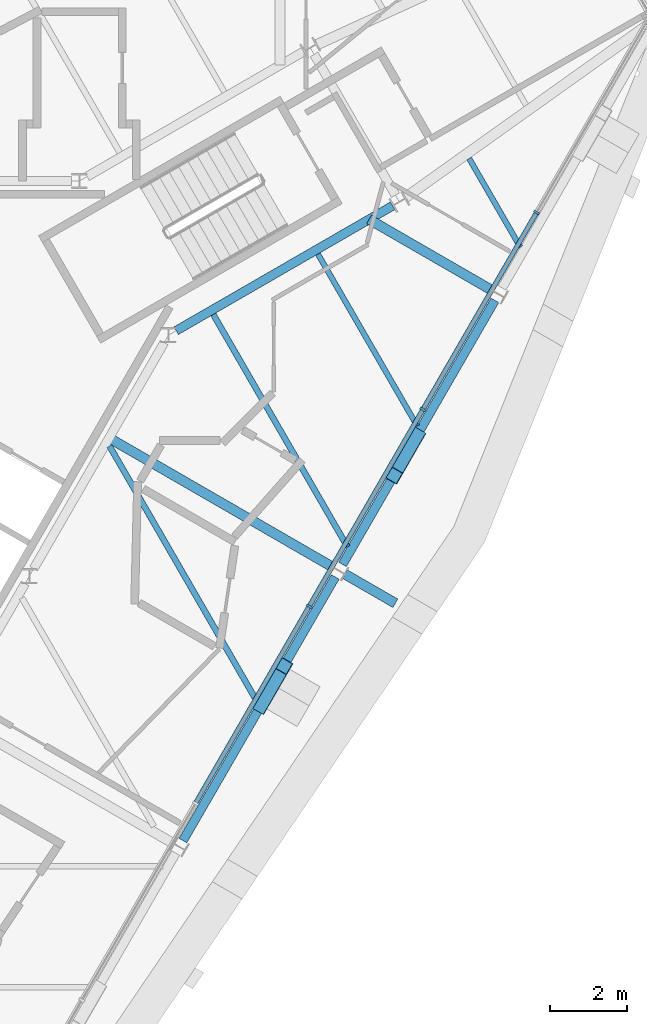
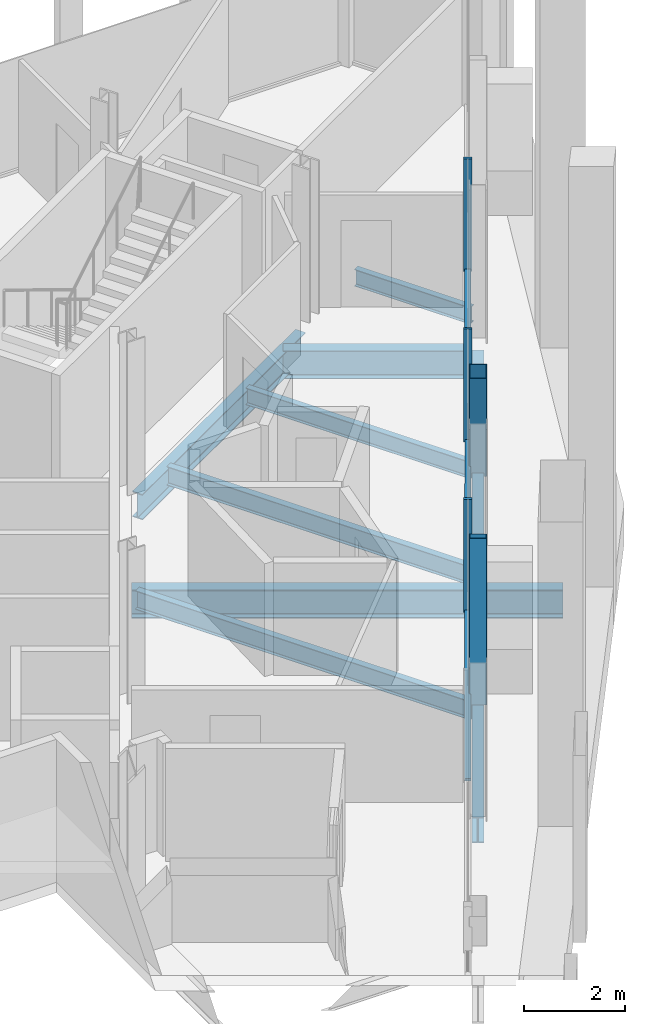
# One storey, part 5 of 15: 10 beams, 8 members, 1 element without a shape of its own.
"""IFC4 building model written with IfcOpenShell, lengths in metres."""

from ifc_helpers import new_model, si_unit, direction, frame, origin, origin_2d, place, context, subcontext, project, spatial, rectangle, hollow_rectangle, i_section, extrude, material, material_profile, profile_set, type_object, element, aggregate, save


model = new_model("IFC4")

# Units and contexts
model_context = context("Model", 3, precision=1e-05, world=origin(), true_north=direction((0.0, 1.0)))
body_context = subcontext(model_context, "Body", "Model", "MODEL_VIEW")
ifc_project = project(units=[si_unit("LENGTHUNIT", "METRE"), si_unit("AREAUNIT", "SQUARE_METRE"), si_unit("VOLUMEUNIT", "CUBIC_METRE"), si_unit("PLANEANGLEUNIT", "RADIAN"), si_unit("MASSUNIT", "GRAM", prefix="KILO")], contexts=[model_context])

# Site, building, storey
site_placement = place(None, origin())
site = spatial("IfcSite", under=ifc_project, at=site_placement, CompositionType="ELEMENT")
building_placement = place(site_placement, origin())
building = spatial("IfcBuilding", under=site, at=building_placement, Name="Verrane Prism Tower", CompositionType="ELEMENT")
storey_placement = place(building_placement, frame((0.0, 0.0, 297.300048828125)))
storey = spatial("IfcBuildingStorey", under=building, at=storey_placement, Name="L75", CompositionType="ELEMENT", Elevation=297.300048828125)

# Beam
ifc_material_1 = material(Name="Steel A992", Category="steel")
ifc_material_profile_1 = material_profile(ifc_material_1, i_section(OverallWidth=0.23046875, OverallDepth=0.6171875, WebThickness=0.01318359375, FlangeThickness=0.022216796875, FilletRadius=0.012939453125, at=origin_2d()), Name="W24x94")
ifc_profile_set_1 = profile_set([ifc_material_profile_1], Name="Steel A992")
beam_type_1 = type_object("IfcBeamType", Name="Core ring girder W24x94", PredefinedType="BEAM", material=ifc_profile_set_1)
beam_1_placement = place(storey_placement, frame((9.679443359375, 2.93505859375, -0.55859375), z_axis=(0.866080992722, 0.499903704773, 0.0), x_axis=(-0.499903704773, 0.866080992722, 0.0)))
element("IfcBeam", 1, at=beam_1_placement, inside=storey, type_object=beam_type_1, Name="Core ring girder L75", PredefinedType="BEAM", context=body_context, shape_type="SweptSolid", body=[
    extrude(i_section(OverallWidth=0.23046875, OverallDepth=0.6171875, WebThickness=0.01318359375, FlangeThickness=0.022216796875, FilletRadius=0.012939453125, at=origin_2d()), origin(), (0.0, 0.0, 1.0), 6.451904296875),
])

# Members
ifc_material_2 = material(Name="Steel A500 Grade C", Category="steel")
ifc_material_profile_2 = material_profile(ifc_material_2, hollow_rectangle(XDim=0.355712890625, YDim=0.355712890625, WallThickness=0.0126953125, InnerFilletRadius=0.00634765625, OuterFilletRadius=0.01904296875, at=origin_2d()), Name="HSS14x14x1/2")
ifc_profile_set_2 = profile_set([ifc_material_profile_2], Name="Steel A500 Grade C")
member_type_1 = type_object("IfcMemberType", Name="Facade brace HSS14x14x1/2", PredefinedType="BRACE", material=ifc_profile_set_2)
member_1_placement = place(storey_placement, frame((11.86669921875, -6.744140625, -0.216796875), z_axis=(0.174021541625, 0.301136042195, 0.937567910682), x_axis=(-0.865825429664, 0.500346205489, 0.0)))
element("IfcMember", 2, at=member_1_placement, inside=storey, type_object=member_type_1, Name="Facade brace SE2 L75", PredefinedType="BRACE", context=body_context, shape_type="SweptSolid", body=[
    extrude(hollow_rectangle(XDim=0.355712890625, YDim=0.355712890625, WallThickness=0.0126953125, InnerFilletRadius=0.00634765625, OuterFilletRadius=0.01904296875, at=origin_2d()), origin(), (0.0, 0.0, 1.0), 3.4091796875),
])
member_2_placement = place(storey_placement, frame((15.893310546875, 0.22900390625, -0.216796875), z_axis=(-0.17399901277, -0.301526684269, 0.937446532997), x_axis=(0.86613421761, -0.499811481546, 0.0)))
element("IfcMember", 3, at=member_2_placement, inside=storey, type_object=member_type_1, Name="Facade brace SE3 L75", PredefinedType="BRACE", context=body_context, shape_type="SweptSolid", body=[
    extrude(hollow_rectangle(XDim=0.355712890625, YDim=0.355712890625, WallThickness=0.0126953125, InnerFilletRadius=0.00634765625, OuterFilletRadius=0.01904296875, at=origin_2d()), origin(), (0.0, 0.0, 1.0), 3.40966796875),
])

# Beams
ifc_material_3 = material(Name="Steel A992", Category="steel")
ifc_material_profile_3 = material_profile(ifc_material_3, i_section(OverallWidth=0.140380859375, OverallDepth=0.40380859375, WebThickness=0.007080078125, FlangeThickness=0.01123046875, FilletRadius=0.01025390625, at=origin_2d()), Name="W16x31")
ifc_profile_set_3 = profile_set([ifc_material_profile_3], Name="Steel A992")
beam_type_2 = type_object("IfcBeamType", Name="Floor beam W16x31", PredefinedType="BEAM", material=ifc_profile_set_3)
beam_2_placement = place(storey_placement, frame((15.902099609375, 0.474609375, -0.362060546875), z_axis=(-0.500011000363, 0.866019052629, 0.0), x_axis=(-0.866019052629, -0.500011000363, 0.0)))
element("IfcBeam", 4, at=beam_2_placement, inside=storey, type_object=beam_type_2, Name="Floor beam L75", PredefinedType="BEAM", context=body_context, shape_type="SweptSolid", body=[
    extrude(i_section(OverallWidth=0.140380859375, OverallDepth=0.40380859375, WebThickness=0.007080078125, FlangeThickness=0.01123046875, FilletRadius=0.01025390625, at=origin_2d()), origin(), (0.0, 0.0, 1.0), 5.126953125),
])
beam_3_placement = place(storey_placement, frame((18.565185546875, 5.089599609375, -0.362060546875), z_axis=(-0.49994082229, 0.866059567356, 0.0), x_axis=(-0.866059567356, -0.49994082229, 0.0)))
element("IfcBeam", 5, at=beam_3_placement, inside=storey, type_object=beam_type_2, Name="Floor beam L75", PredefinedType="BEAM", context=body_context, shape_type="SweptSolid", body=[
    extrude(i_section(OverallWidth=0.140380859375, OverallDepth=0.40380859375, WebThickness=0.007080078125, FlangeThickness=0.01123046875, FilletRadius=0.01025390625, at=origin_2d()), origin(), (0.0, 0.0, 1.0), 2.645263671875),
])
ifc_material_4 = material(Name="Steel A992", Category="steel")
ifc_material_profile_4 = material_profile(ifc_material_4, i_section(OverallWidth=0.15234375, OverallDepth=0.449462890625, WebThickness=0.007568359375, FlangeThickness=0.0107421875, FilletRadius=0.01025390625, at=origin_2d()), Name="W18x35")
ifc_profile_set_4 = profile_set([ifc_material_profile_4], Name="Steel A992")
beam_type_3 = type_object("IfcBeamType", Name="Floor beam W18x35", PredefinedType="BEAM", material=ifc_profile_set_4)
beam_4_placement = place(storey_placement, frame((11.78076171875, -6.6630859375, -0.384765625), z_axis=(-0.499997113229, 0.866027070456, 0.0), x_axis=(-0.866027070456, -0.499997113229, 0.0)))
element("IfcBeam", 6, at=beam_4_placement, inside=storey, type_object=beam_type_3, Name="Floor beam L75", PredefinedType="BEAM", context=body_context, shape_type="SweptSolid", body=[
    extrude(i_section(OverallWidth=0.15234375, OverallDepth=0.449462890625, WebThickness=0.007568359375, FlangeThickness=0.0107421875, FilletRadius=0.01025390625, at=origin_2d()), origin(), (0.0, 0.0, 1.0), 7.64306640625),
])
beam_5_placement = place(storey_placement, frame((14.1015625, -2.64599609375, -0.384765625), z_axis=(-0.49999287541, 0.866029517129, 0.0), x_axis=(-0.866029517129, -0.49999287541, 0.0)))
element("IfcBeam", 7, at=beam_5_placement, inside=storey, type_object=beam_type_3, Name="Floor beam L75", PredefinedType="BEAM", context=body_context, shape_type="SweptSolid", body=[
    extrude(i_section(OverallWidth=0.15234375, OverallDepth=0.449462890625, WebThickness=0.007568359375, FlangeThickness=0.0107421875, FilletRadius=0.01025390625, at=origin_2d()), origin(), (0.0, 0.0, 1.0), 6.92919921875),
])

# Curtain wall, members
ifc_material_5 = material(Name="Aluminium framed insulated glazing", Category="aluminium")
curtain_wall_type = type_object("IfcCurtainWallType", Name="Curtain wall CW-B 5600 module", PredefinedType="NOTDEFINED", material=ifc_material_5)
curtain_wall_placement = place(storey_placement, origin())
curtain_wall = element("IfcCurtainWall", 8, at=curtain_wall_placement, inside=storey, type_object=curtain_wall_type, Name="Glazed curtain wall south-east face L75", PredefinedType="NOTDEFINED")
ifc_material_6 = material(Name="Aluminium alloy 6063-T6", Category="aluminium")
ifc_material_profile_5 = material_profile(ifc_material_6, rectangle(XDim=0.159912109375, YDim=0.06005859375, at=origin_2d()), Name="Mullion 60x160 aluminium")
ifc_profile_set_5 = profile_set([ifc_material_profile_5], Name="Aluminium alloy 6063-T6")
member_type_2 = type_object("IfcMemberType", Name="Mullion 60x160 aluminium", PredefinedType="MULLION", material=ifc_profile_set_5)
member_3_placement = place(storey_placement, frame((13.11328125, -4.181640625, 0.0), z_axis=(0.0, 0.0, 1.0), x_axis=(-0.866024861728, 0.500000938868, 0.0)))
member_3 = element("IfcMember", 9, at=member_3_placement, type_object=member_type_2, Name="CW75.6 mullion 5", PredefinedType="MULLION", context=body_context, shape_type="SweptSolid", body=[
    extrude(rectangle(XDim=0.159912109375, YDim=0.06005859375, at=origin_2d()), origin(), (0.0, 0.0, 1.0), 2.72314453125),
])
member_4_placement = place(storey_placement, frame((16.04833984375, 0.902099609375, 0.0), z_axis=(0.0, 0.0, 1.0), x_axis=(-0.866024861728, 0.500000938868, 0.0)))
member_4 = element("IfcMember", 10, at=member_4_placement, type_object=member_type_2, Name="CW75.6 mullion 6", PredefinedType="MULLION", context=body_context, shape_type="SweptSolid", body=[
    extrude(rectangle(XDim=0.159912109375, YDim=0.06005859375, at=origin_2d()), origin(), (0.0, 0.0, 1.0), 2.72314453125),
])
member_5_placement = place(storey_placement, frame((18.983642578125, 5.986083984375, 0.0), z_axis=(0.0, 0.0, 1.0), x_axis=(-0.866024861728, 0.500000938868, 0.0)))
member_5 = element("IfcMember", 11, at=member_5_placement, type_object=member_type_2, Name="CW75.6 mullion 7", PredefinedType="MULLION", context=body_context, shape_type="SweptSolid", body=[
    extrude(rectangle(XDim=0.159912109375, YDim=0.06005859375, at=origin_2d()), origin(), (0.0, 0.0, 1.0), 2.72314453125),
])

# Beams
ifc_material_7 = material(Name="Steel A992", Category="steel")
ifc_material_profile_6 = material_profile(ifc_material_7, i_section(OverallWidth=0.25390625, OverallDepth=0.683349609375, WebThickness=0.012451171875, FlangeThickness=0.01904296875, FilletRadius=0.01513671875, at=origin_2d()), Name="W27x94")
ifc_profile_set_6 = profile_set([ifc_material_profile_6], Name="Steel A992")
beam_type_4 = type_object("IfcBeamType", Name="Radial girder W27x94", PredefinedType="BEAM", material=ifc_profile_set_6)
beam_6_placement = place(storey_placement, frame((13.720458984375, -3.16796875, -0.561767578125), z_axis=(-0.866025791777, 0.499999327977, 0.0), x_axis=(-0.499999327977, -0.866025791777, 0.0)))
element("IfcBeam", 12, at=beam_6_placement, inside=storey, type_object=beam_type_4, Name="Radial girder L75", PredefinedType="BEAM", context=body_context, shape_type="SweptSolid", body=[
    extrude(i_section(OverallWidth=0.25390625, OverallDepth=0.683349609375, WebThickness=0.012451171875, FlangeThickness=0.01904296875, FilletRadius=0.01513671875, at=origin_2d()), origin(), (0.0, 0.0, 1.0), 6.666015625),
])
beam_7_placement = place(storey_placement, frame((17.840576171875, 3.97216796875, -0.561767578125), z_axis=(-0.866042841795, 0.499969795263, 0.0), x_axis=(-0.499969795263, -0.866042841795, 0.0)))
element("IfcBeam", 13, at=beam_7_placement, inside=storey, type_object=beam_type_4, Name="Radial girder L75", PredefinedType="BEAM", context=body_context, shape_type="SweptSolid", body=[
    extrude(i_section(OverallWidth=0.25390625, OverallDepth=0.683349609375, WebThickness=0.012451171875, FlangeThickness=0.01904296875, FilletRadius=0.01513671875, at=origin_2d()), origin(), (0.0, 0.0, 1.0), 3.674072265625),
])
beam_8_placement = place(storey_placement, frame((14.035888671875, -3.35009765625, -0.561767578125), z_axis=(0.86607463192, -0.499914724673, 0.0), x_axis=(0.499914724673, 0.86607463192, 0.0)))
element("IfcBeam", 14, at=beam_8_placement, inside=storey, type_object=beam_type_4, Name="Cantilever girder L75", PredefinedType="BEAM", context=body_context, shape_type="SweptSolid", body=[
    extrude(i_section(OverallWidth=0.25390625, OverallDepth=0.683349609375, WebThickness=0.012451171875, FlangeThickness=0.01904296875, FilletRadius=0.01513671875, at=origin_2d()), origin(), (0.0, 0.0, 1.0), 1.502197265625),
])
ifc_material_8 = material(Name="Steel A992", Category="steel")
ifc_material_profile_7 = material_profile(ifc_material_8, i_section(OverallWidth=0.23046875, OverallDepth=0.6171875, WebThickness=0.01318359375, FlangeThickness=0.022216796875, FilletRadius=0.012939453125, at=origin_2d()), Name="W24x94")
ifc_profile_set_7 = profile_set([ifc_material_profile_7], Name="Steel A992")
beam_type_5 = type_object("IfcBeamType", Name="Spandrel beam W24x94", PredefinedType="SPANDREL", material=ifc_profile_set_7)
beam_9_placement = place(storey_placement, frame((9.853515625, -10.228515625, -0.46875), z_axis=(0.500300363133, 0.865851919585, 0.0), x_axis=(-0.865851919585, 0.500300363133, 0.0)))
element("IfcBeam", 15, at=beam_9_placement, inside=storey, type_object=beam_type_5, Name="Spandrel beam L75", PredefinedType="SPANDREL", context=body_context, shape_type="SweptSolid", body=[
    extrude(i_section(OverallWidth=0.23046875, OverallDepth=0.6171875, WebThickness=0.01318359375, FlangeThickness=0.022216796875, FilletRadius=0.012939453125, at=origin_2d()), origin(), (0.0, 0.0, 1.0), 7.861572265625),
])
beam_10_placement = place(storey_placement, frame((13.973388671875, -3.098388671875, -0.46875), z_axis=(0.499786009893, 0.866148915785, 0.0), x_axis=(-0.866148915785, 0.499786009893, 0.0)))
element("IfcBeam", 16, at=beam_10_placement, inside=storey, type_object=beam_type_5, Name="Spandrel beam L75", PredefinedType="SPANDREL", context=body_context, shape_type="SweptSolid", body=[
    extrude(i_section(OverallWidth=0.23046875, OverallDepth=0.6171875, WebThickness=0.01318359375, FlangeThickness=0.022216796875, FilletRadius=0.012939453125, at=origin_2d()), origin(), (0.0, 0.0, 1.0), 7.8701171875),
])

# Member
ifc_material_9 = material(Name="Aluminium alloy 6063-T6", Category="aluminium")
ifc_material_profile_8 = material_profile(ifc_material_9, rectangle(XDim=0.1201171875, YDim=0.06005859375, at=origin_2d()), Name="Transom 60x120 aluminium")
ifc_profile_set_8 = profile_set([ifc_material_profile_8], Name="Aluminium alloy 6063-T6")
member_type_3 = type_object("IfcMemberType", Name="Transom 60x120 aluminium", PredefinedType="USERDEFINED", material=ifc_profile_set_8)
member_6_placement = place(storey_placement, frame((10.193115234375, -9.239501953125, 0.030029296875), z_axis=(0.499994042164, 0.866028843516, 0.0), x_axis=(-0.866028843516, 0.499994042164, 0.0)))
member_6 = element("IfcMember", 17, at=member_6_placement, type_object=member_type_3, Name="CW75.6 transom 4", ObjectType="TRANSOM", PredefinedType="USERDEFINED", context=body_context, shape_type="SweptSolid", body=[
    extrude(rectangle(XDim=0.1201171875, YDim=0.06005859375, at=origin_2d()), origin(), (0.0, 0.0, 1.0), 5.81005859375),
])

member_7_placement = place(storey_placement, frame((13.128173828125, -4.15576171875, 0.030029296875), z_axis=(0.500007361489, 0.866021153585, 0.0), x_axis=(-0.866021153585, 0.500007361489, 0.0)))
member_7 = element("IfcMember", 18, at=member_7_placement, type_object=member_type_3, Name="CW75.6 transom 5", ObjectType="TRANSOM", PredefinedType="USERDEFINED", context=body_context, shape_type="SweptSolid", body=[
    extrude(rectangle(XDim=0.1201171875, YDim=0.06005859375, at=origin_2d()), origin(), (0.0, 0.0, 1.0), 5.810546875),
])

member_8_placement = place(storey_placement, frame((16.0634765625, 0.92822265625, 0.030029296875), z_axis=(0.499994042164, 0.866028843516, 0.0), x_axis=(-0.866028843516, 0.499994042164, 0.0)))
member_8 = element("IfcMember", 19, at=member_8_placement, type_object=member_type_3, Name="CW75.6 transom 6", ObjectType="TRANSOM", PredefinedType="USERDEFINED", context=body_context, shape_type="SweptSolid", body=[
    extrude(rectangle(XDim=0.1201171875, YDim=0.06005859375, at=origin_2d()), origin(), (0.0, 0.0, 1.0), 5.81005859375),
])

aggregate(curtain_wall, [member_3, member_4, member_5, member_6, member_7, member_8])

save(model, "model.ifc")
